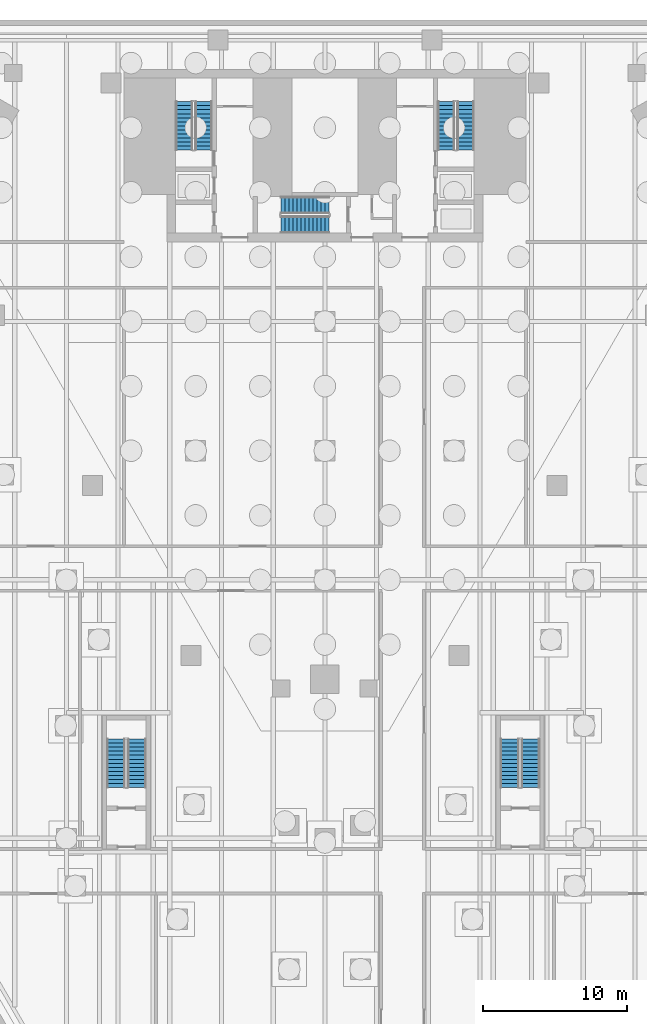
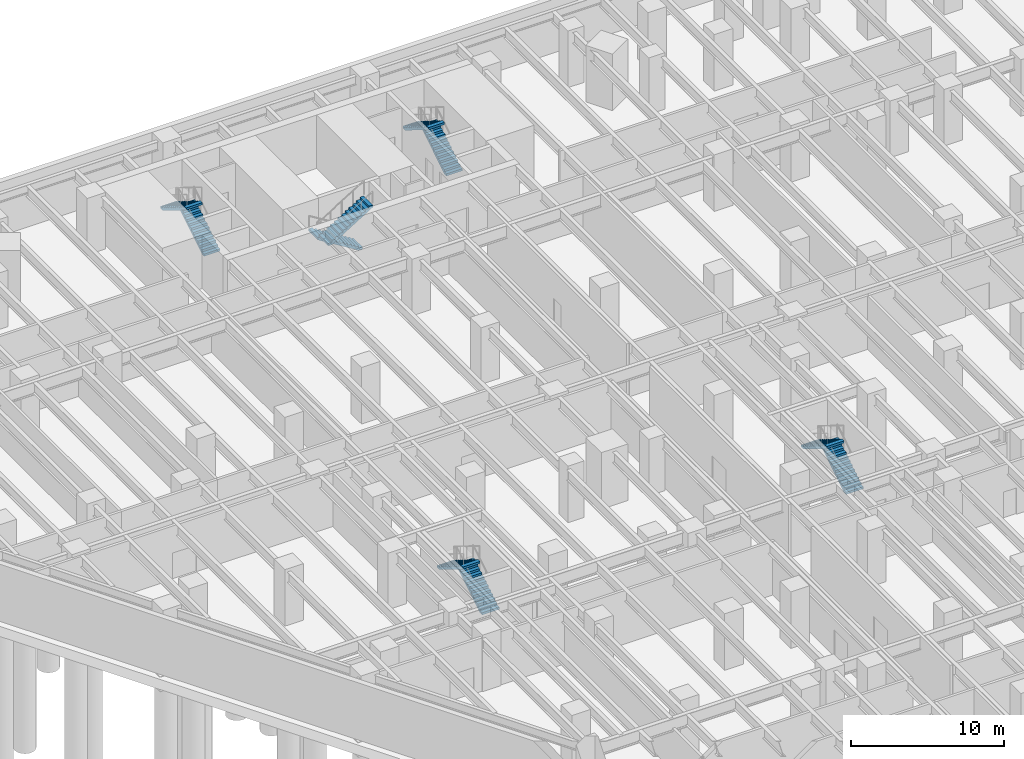
# One storey, part 15 of 18: 10 stair flights, 5 elements without a shape of their own.
"""IFC4 building model written with IfcOpenShell, lengths in metres."""

from ifc_helpers import new_model, si_unit, direction, frame, origin, place, context, subcontext, project, spatial, polyline, outline, extrude, material, type_object, element, aggregate, save


model = new_model("IFC4")

# Units and contexts
model_context = context("Model", 3, precision=1e-05, world=origin(), true_north=direction((0.0, 1.0)))
body_context = subcontext(model_context, "Body", "Model", "MODEL_VIEW")
ifc_project = project(units=[si_unit("LENGTHUNIT", "METRE"), si_unit("AREAUNIT", "SQUARE_METRE"), si_unit("VOLUMEUNIT", "CUBIC_METRE"), si_unit("PLANEANGLEUNIT", "RADIAN"), si_unit("MASSUNIT", "GRAM", prefix="KILO")], contexts=[model_context])

# Site, building, storey
site_placement = place(None, origin())
site = spatial("IfcSite", under=ifc_project, at=site_placement, CompositionType="ELEMENT")
building_placement = place(site_placement, origin())
building = spatial("IfcBuilding", under=site, at=building_placement, Name="Aloe Facet Convention Tower", CompositionType="ELEMENT")
storey_placement = place(building_placement, frame((0.0, 0.0, -9.0)))
storey = spatial("IfcBuildingStorey", under=building, at=storey_placement, Name="B2", CompositionType="ELEMENT", Elevation=-9.0)

# Stair, stair flights
ifc_material_1 = material(Name="Concrete C50/60", Category="concrete")
stair_type_1 = type_object("IfcStairType", Name="CR-ST-26R", PredefinedType="HALF_TURN_STAIR", material=ifc_material_1)
stair_1_placement = place(storey_placement, origin())
stair_1 = element("IfcStair", 1, at=stair_1_placement, inside=storey, type_object=stair_type_1, Name="B2 Protected exit stair ST1", PredefinedType="HALF_TURN_STAIR")
ifc_material_2 = material(Name="Concrete C50/60", Category="concrete")
stair_flight_type_1 = type_object("IfcStairFlightType", Name="CR-SFL-26R", PredefinedType="STRAIGHT", material=ifc_material_2)
stair_flight_1_placement = place(storey_placement, frame((71.550048828125, 128.949951171875, 0.0), z_axis=(0.0, 0.0, 1.0), x_axis=(0.0, 1.0, 0.0)))
stair_flight_1 = element("IfcStairFlight", 2, at=stair_flight_1_placement, type_object=stair_flight_type_1, Name="ST1 flight 1", NumberOfRisers=13, NumberOfTreads=12, PredefinedType="STRAIGHT", RiserHeight=0.173076923, TreadLength=0.28, context=body_context, shape_type="SweptSolid", body=[
    extrude(outline(polyline([(0.0, 0.0), (0.0, 0.173095703125), (0.280029296875, 0.173095703125), (0.280029296875, 0.34619140625), (0.56005859375, 0.34619140625), (0.56005859375, 0.519287109375), (0.840087890625, 0.519287109375), (0.840087890625, 0.6923828125), (1.1201171875, 0.6923828125), (1.1201171875, 0.865478515625), (1.39990234375, 0.865478515625), (1.39990234375, 1.03857421875), (1.679931640625, 1.03857421875), (1.679931640625, 1.21142578125), (1.9599609375, 1.21142578125), (1.9599609375, 1.384521484375), (2.239990234375, 1.384521484375), (2.239990234375, 1.5576171875), (2.52001953125, 1.5576171875), (2.52001953125, 1.730712890625), (2.800048828125, 1.730712890625), (2.800048828125, 1.90380859375), (3.080078125, 1.90380859375), (3.080078125, 2.076904296875), (3.360107421875, 2.076904296875), (3.360107421875, 2.25), (3.360107421875, 1.900634765625), (0.28515625, 0.0), (0.0, 0.0)])), frame((0.0, 0.60009765625, 0.0), z_axis=(0.0, -1.0, 0.0), x_axis=(1.0, 0.0, 0.0)), (0.0, 0.0, 1.0), 1.199951171875),
])
stair_flight_2_placement = place(storey_placement, frame((70.199951171875, 132.31005859375, 2.25), z_axis=(0.0, 0.0, 1.0), x_axis=(0.0, -1.0, 0.0)))
stair_flight_2 = element("IfcStairFlight", 3, at=stair_flight_2_placement, type_object=stair_flight_type_1, Name="ST1 flight 2", NumberOfRisers=13, NumberOfTreads=12, PredefinedType="STRAIGHT", RiserHeight=0.173076923, TreadLength=0.28, context=body_context, shape_type="SweptSolid", body=[
    extrude(outline(polyline([(0.0, 0.0), (0.0, 0.173095703125), (0.280029296875, 0.173095703125), (0.280029296875, 0.34619140625), (0.56005859375, 0.34619140625), (0.56005859375, 0.519287109375), (0.840087890625, 0.519287109375), (0.840087890625, 0.6923828125), (1.1201171875, 0.6923828125), (1.1201171875, 0.865478515625), (1.39990234375, 0.865478515625), (1.39990234375, 1.03857421875), (1.679931640625, 1.03857421875), (1.679931640625, 1.21142578125), (1.9599609375, 1.21142578125), (1.9599609375, 1.384521484375), (2.239990234375, 1.384521484375), (2.239990234375, 1.5576171875), (2.52001953125, 1.5576171875), (2.52001953125, 1.730712890625), (2.800048828125, 1.730712890625), (2.800048828125, 1.90380859375), (3.080078125, 1.90380859375), (3.080078125, 2.076904296875), (3.360107421875, 2.076904296875), (3.360107421875, 2.25), (3.360107421875, 1.900634765625), (0.28515625, 0.0), (0.0, 0.0)])), frame((0.0, 0.60009765625, 0.0), z_axis=(0.0, -1.0, 0.0), x_axis=(1.0, 0.0, 0.0)), (0.0, 0.0, 1.0), 1.199951171875),
])
aggregate(stair_1, [stair_flight_1, stair_flight_2])

stair_2_placement = place(storey_placement, origin())
stair_2 = element("IfcStair", 4, at=stair_2_placement, inside=storey, type_object=stair_type_1, Name="B2 Protected exit stair ST2", PredefinedType="HALF_TURN_STAIR")
stair_flight_3_placement = place(storey_placement, frame((89.800048828125, 128.949951171875, 0.0), z_axis=(0.0, 0.0, 1.0), x_axis=(0.0, 1.0, 0.0)))
stair_flight_3 = element("IfcStairFlight", 5, at=stair_flight_3_placement, type_object=stair_flight_type_1, Name="ST2 flight 1", NumberOfRisers=13, NumberOfTreads=12, PredefinedType="STRAIGHT", RiserHeight=0.173076923, TreadLength=0.28, context=body_context, shape_type="SweptSolid", body=[
    extrude(outline(polyline([(0.0, 0.0), (0.0, 0.173095703125), (0.280029296875, 0.173095703125), (0.280029296875, 0.34619140625), (0.56005859375, 0.34619140625), (0.56005859375, 0.519287109375), (0.840087890625, 0.519287109375), (0.840087890625, 0.6923828125), (1.1201171875, 0.6923828125), (1.1201171875, 0.865478515625), (1.39990234375, 0.865478515625), (1.39990234375, 1.03857421875), (1.679931640625, 1.03857421875), (1.679931640625, 1.21142578125), (1.9599609375, 1.21142578125), (1.9599609375, 1.384521484375), (2.239990234375, 1.384521484375), (2.239990234375, 1.5576171875), (2.52001953125, 1.5576171875), (2.52001953125, 1.730712890625), (2.800048828125, 1.730712890625), (2.800048828125, 1.90380859375), (3.080078125, 1.90380859375), (3.080078125, 2.076904296875), (3.360107421875, 2.076904296875), (3.360107421875, 2.25), (3.360107421875, 1.900634765625), (0.28515625, 0.0), (0.0, 0.0)])), frame((0.0, 0.60009765625, 0.0), z_axis=(0.0, -1.0, 0.0), x_axis=(1.0, 0.0, 0.0)), (0.0, 0.0, 1.0), 1.199951171875),
])
stair_flight_4_placement = place(storey_placement, frame((88.449951171875, 132.31005859375, 2.25), z_axis=(0.0, 0.0, 1.0), x_axis=(0.0, -1.0, 0.0)))
stair_flight_4 = element("IfcStairFlight", 6, at=stair_flight_4_placement, type_object=stair_flight_type_1, Name="ST2 flight 2", NumberOfRisers=13, NumberOfTreads=12, PredefinedType="STRAIGHT", RiserHeight=0.173076923, TreadLength=0.28, context=body_context, shape_type="SweptSolid", body=[
    extrude(outline(polyline([(0.0, 0.0), (0.0, 0.173095703125), (0.280029296875, 0.173095703125), (0.280029296875, 0.34619140625), (0.56005859375, 0.34619140625), (0.56005859375, 0.519287109375), (0.840087890625, 0.519287109375), (0.840087890625, 0.6923828125), (1.1201171875, 0.6923828125), (1.1201171875, 0.865478515625), (1.39990234375, 0.865478515625), (1.39990234375, 1.03857421875), (1.679931640625, 1.03857421875), (1.679931640625, 1.21142578125), (1.9599609375, 1.21142578125), (1.9599609375, 1.384521484375), (2.239990234375, 1.384521484375), (2.239990234375, 1.5576171875), (2.52001953125, 1.5576171875), (2.52001953125, 1.730712890625), (2.800048828125, 1.730712890625), (2.800048828125, 1.90380859375), (3.080078125, 1.90380859375), (3.080078125, 2.076904296875), (3.360107421875, 2.076904296875), (3.360107421875, 2.25), (3.360107421875, 1.900634765625), (0.28515625, 0.0), (0.0, 0.0)])), frame((0.0, 0.60009765625, 0.0), z_axis=(0.0, -1.0, 0.0), x_axis=(1.0, 0.0, 0.0)), (0.0, 0.0, 1.0), 1.199951171875),
])
aggregate(stair_2, [stair_flight_3, stair_flight_4])

stair_3_placement = place(storey_placement, origin())
stair_3 = element("IfcStair", 7, at=stair_3_placement, inside=storey, type_object=stair_type_1, Name="B2 Protected exit stair ST3", PredefinedType="HALF_TURN_STAIR")
stair_flight_5_placement = place(storey_placement, frame((80.300048828125, 125.10009765625, 0.0), z_axis=(0.0, 0.0, 1.0), x_axis=(-1.0, 0.0, 0.0)))
stair_flight_5 = element("IfcStairFlight", 8, at=stair_flight_5_placement, type_object=stair_flight_type_1, Name="ST3 flight 1", NumberOfRisers=13, NumberOfTreads=12, PredefinedType="STRAIGHT", RiserHeight=0.173076923, TreadLength=0.28, context=body_context, shape_type="SweptSolid", body=[
    extrude(outline(polyline([(0.0, 0.0), (0.0, 0.173095703125), (0.280029296875, 0.173095703125), (0.280029296875, 0.34619140625), (0.56005859375, 0.34619140625), (0.56005859375, 0.519287109375), (0.840087890625, 0.519287109375), (0.840087890625, 0.6923828125), (1.1201171875, 0.6923828125), (1.1201171875, 0.865478515625), (1.39990234375, 0.865478515625), (1.39990234375, 1.03857421875), (1.679931640625, 1.03857421875), (1.679931640625, 1.21142578125), (1.9599609375, 1.21142578125), (1.9599609375, 1.384521484375), (2.239990234375, 1.384521484375), (2.239990234375, 1.5576171875), (2.52001953125, 1.5576171875), (2.52001953125, 1.730712890625), (2.800048828125, 1.730712890625), (2.800048828125, 1.90380859375), (3.080078125, 1.90380859375), (3.080078125, 2.076904296875), (3.360107421875, 2.076904296875), (3.360107421875, 2.25), (3.360107421875, 1.900634765625), (0.28515625, 0.0), (0.0, 0.0)])), frame((0.0, 0.60009765625, 0.0), z_axis=(0.0, -1.0, 0.0), x_axis=(1.0, 0.0, 0.0)), (0.0, 0.0, 1.0), 1.199951171875),
])
stair_flight_6_placement = place(storey_placement, frame((76.93994140625, 123.75, 2.25), z_axis=(0.0, 0.0, 1.0), x_axis=(1.0, 0.0, 0.0)))
stair_flight_6 = element("IfcStairFlight", 9, at=stair_flight_6_placement, type_object=stair_flight_type_1, Name="ST3 flight 2", NumberOfRisers=13, NumberOfTreads=12, PredefinedType="STRAIGHT", RiserHeight=0.173076923, TreadLength=0.28, context=body_context, shape_type="SweptSolid", body=[
    extrude(outline(polyline([(0.0, 0.0), (0.0, 0.173095703125), (0.280029296875, 0.173095703125), (0.280029296875, 0.34619140625), (0.56005859375, 0.34619140625), (0.56005859375, 0.519287109375), (0.840087890625, 0.519287109375), (0.840087890625, 0.6923828125), (1.1201171875, 0.6923828125), (1.1201171875, 0.865478515625), (1.39990234375, 0.865478515625), (1.39990234375, 1.03857421875), (1.679931640625, 1.03857421875), (1.679931640625, 1.21142578125), (1.9599609375, 1.21142578125), (1.9599609375, 1.384521484375), (2.239990234375, 1.384521484375), (2.239990234375, 1.5576171875), (2.52001953125, 1.5576171875), (2.52001953125, 1.730712890625), (2.800048828125, 1.730712890625), (2.800048828125, 1.90380859375), (3.080078125, 1.90380859375), (3.080078125, 2.076904296875), (3.360107421875, 2.076904296875), (3.360107421875, 2.25), (3.360107421875, 1.900634765625), (0.28515625, 0.0), (0.0, 0.0)])), frame((0.0, 0.60009765625, 0.0), z_axis=(0.0, -1.0, 0.0), x_axis=(1.0, 0.0, 0.0)), (0.0, 0.0, 1.0), 1.199951171875),
])
aggregate(stair_3, [stair_flight_5, stair_flight_6])

ifc_material_3 = material(Name="Concrete C50/60", Category="concrete")
stair_type_2 = type_object("IfcStairType", Name="CR-ST-26R-W1300", PredefinedType="HALF_TURN_STAIR", material=ifc_material_3)
stair_4_placement = place(storey_placement, origin())
stair_4 = element("IfcStair", 10, at=stair_4_placement, inside=storey, type_object=stair_type_2, Name="B2 Protected exit stair ST6", PredefinedType="HALF_TURN_STAIR")
ifc_material_4 = material(Name="Concrete C50/60", Category="concrete")
stair_flight_type_2 = type_object("IfcStairFlightType", Name="CR-SFL-26R-W1300", PredefinedType="STRAIGHT", material=ifc_material_4)
stair_flight_7_placement = place(storey_placement, frame((94.324951171875, 84.550048828125, 0.0), z_axis=(0.0, 0.0, 1.0), x_axis=(0.0, 1.0, 0.0)))
stair_flight_7 = element("IfcStairFlight", 11, at=stair_flight_7_placement, type_object=stair_flight_type_2, Name="ST6 flight 1", NumberOfRisers=13, NumberOfTreads=12, PredefinedType="STRAIGHT", RiserHeight=0.173076923, TreadLength=0.28, context=body_context, shape_type="SweptSolid", body=[
    extrude(outline(polyline([(0.0, 0.0), (0.0, 0.173095703125), (0.280029296875, 0.173095703125), (0.280029296875, 0.34619140625), (0.56005859375, 0.34619140625), (0.56005859375, 0.519287109375), (0.840087890625, 0.519287109375), (0.840087890625, 0.6923828125), (1.1201171875, 0.6923828125), (1.1201171875, 0.865478515625), (1.39990234375, 0.865478515625), (1.39990234375, 1.03857421875), (1.679931640625, 1.03857421875), (1.679931640625, 1.21142578125), (1.9599609375, 1.21142578125), (1.9599609375, 1.384521484375), (2.239990234375, 1.384521484375), (2.239990234375, 1.5576171875), (2.52001953125, 1.5576171875), (2.52001953125, 1.730712890625), (2.800048828125, 1.730712890625), (2.800048828125, 1.90380859375), (3.080078125, 1.90380859375), (3.080078125, 2.076904296875), (3.360107421875, 2.076904296875), (3.360107421875, 2.25), (3.360107421875, 1.900634765625), (0.28515625, 0.0), (0.0, 0.0)])), frame((0.0, 0.64990234375, 0.0), z_axis=(0.0, -1.0, 0.0), x_axis=(1.0, 0.0, 0.0)), (0.0, 0.0, 1.0), 1.300048828125),
])
stair_flight_8_placement = place(storey_placement, frame((92.875, 87.909912109375, 2.25), z_axis=(0.0, 0.0, 1.0), x_axis=(0.0, -1.0, 0.0)))
stair_flight_8 = element("IfcStairFlight", 12, at=stair_flight_8_placement, type_object=stair_flight_type_2, Name="ST6 flight 2", NumberOfRisers=13, NumberOfTreads=12, PredefinedType="STRAIGHT", RiserHeight=0.173076923, TreadLength=0.28, context=body_context, shape_type="SweptSolid", body=[
    extrude(outline(polyline([(0.0, 0.0), (0.0, 0.173095703125), (0.280029296875, 0.173095703125), (0.280029296875, 0.34619140625), (0.56005859375, 0.34619140625), (0.56005859375, 0.519287109375), (0.840087890625, 0.519287109375), (0.840087890625, 0.6923828125), (1.1201171875, 0.6923828125), (1.1201171875, 0.865478515625), (1.39990234375, 0.865478515625), (1.39990234375, 1.03857421875), (1.679931640625, 1.03857421875), (1.679931640625, 1.21142578125), (1.9599609375, 1.21142578125), (1.9599609375, 1.384521484375), (2.239990234375, 1.384521484375), (2.239990234375, 1.5576171875), (2.52001953125, 1.5576171875), (2.52001953125, 1.730712890625), (2.800048828125, 1.730712890625), (2.800048828125, 1.90380859375), (3.080078125, 1.90380859375), (3.080078125, 2.076904296875), (3.360107421875, 2.076904296875), (3.360107421875, 2.25), (3.360107421875, 1.900634765625), (0.28515625, 0.0), (0.0, 0.0)])), frame((0.0, 0.64990234375, 0.0), z_axis=(0.0, -1.0, 0.0), x_axis=(1.0, 0.0, 0.0)), (0.0, 0.0, 1.0), 1.300048828125),
])
aggregate(stair_4, [stair_flight_7, stair_flight_8])

stair_5_placement = place(storey_placement, origin())
stair_5 = element("IfcStair", 13, at=stair_5_placement, inside=storey, type_object=stair_type_2, Name="B2 Protected exit stair ST7", PredefinedType="HALF_TURN_STAIR")
stair_flight_9_placement = place(storey_placement, frame((66.89990234375, 84.550048828125, 0.0), z_axis=(0.0, 0.0, 1.0), x_axis=(0.0, 1.0, 0.0)))
stair_flight_9 = element("IfcStairFlight", 14, at=stair_flight_9_placement, type_object=stair_flight_type_2, Name="ST7 flight 1", NumberOfRisers=13, NumberOfTreads=12, PredefinedType="STRAIGHT", RiserHeight=0.173076923, TreadLength=0.28, context=body_context, shape_type="SweptSolid", body=[
    extrude(outline(polyline([(0.0, 0.0), (0.0, 0.173095703125), (0.280029296875, 0.173095703125), (0.280029296875, 0.34619140625), (0.56005859375, 0.34619140625), (0.56005859375, 0.519287109375), (0.840087890625, 0.519287109375), (0.840087890625, 0.6923828125), (1.1201171875, 0.6923828125), (1.1201171875, 0.865478515625), (1.39990234375, 0.865478515625), (1.39990234375, 1.03857421875), (1.679931640625, 1.03857421875), (1.679931640625, 1.21142578125), (1.9599609375, 1.21142578125), (1.9599609375, 1.384521484375), (2.239990234375, 1.384521484375), (2.239990234375, 1.5576171875), (2.52001953125, 1.5576171875), (2.52001953125, 1.730712890625), (2.800048828125, 1.730712890625), (2.800048828125, 1.90380859375), (3.080078125, 1.90380859375), (3.080078125, 2.076904296875), (3.360107421875, 2.076904296875), (3.360107421875, 2.25), (3.360107421875, 1.900634765625), (0.28515625, 0.0), (0.0, 0.0)])), frame((0.0, 0.64990234375, 0.0), z_axis=(0.0, -1.0, 0.0), x_axis=(1.0, 0.0, 0.0)), (0.0, 0.0, 1.0), 1.300048828125),
])
stair_flight_10_placement = place(storey_placement, frame((65.449951171875, 87.909912109375, 2.25), z_axis=(0.0, 0.0, 1.0), x_axis=(0.0, -1.0, 0.0)))
stair_flight_10 = element("IfcStairFlight", 15, at=stair_flight_10_placement, type_object=stair_flight_type_2, Name="ST7 flight 2", NumberOfRisers=13, NumberOfTreads=12, PredefinedType="STRAIGHT", RiserHeight=0.173076923, TreadLength=0.28, context=body_context, shape_type="SweptSolid", body=[
    extrude(outline(polyline([(0.0, 0.0), (0.0, 0.173095703125), (0.280029296875, 0.173095703125), (0.280029296875, 0.34619140625), (0.56005859375, 0.34619140625), (0.56005859375, 0.519287109375), (0.840087890625, 0.519287109375), (0.840087890625, 0.6923828125), (1.1201171875, 0.6923828125), (1.1201171875, 0.865478515625), (1.39990234375, 0.865478515625), (1.39990234375, 1.03857421875), (1.679931640625, 1.03857421875), (1.679931640625, 1.21142578125), (1.9599609375, 1.21142578125), (1.9599609375, 1.384521484375), (2.239990234375, 1.384521484375), (2.239990234375, 1.5576171875), (2.52001953125, 1.5576171875), (2.52001953125, 1.730712890625), (2.800048828125, 1.730712890625), (2.800048828125, 1.90380859375), (3.080078125, 1.90380859375), (3.080078125, 2.076904296875), (3.360107421875, 2.076904296875), (3.360107421875, 2.25), (3.360107421875, 1.900634765625), (0.28515625, 0.0), (0.0, 0.0)])), frame((0.0, 0.64990234375, 0.0), z_axis=(0.0, -1.0, 0.0), x_axis=(1.0, 0.0, 0.0)), (0.0, 0.0, 1.0), 1.300048828125),
])
aggregate(stair_5, [stair_flight_9, stair_flight_10])

save(model, "model.ifc")
